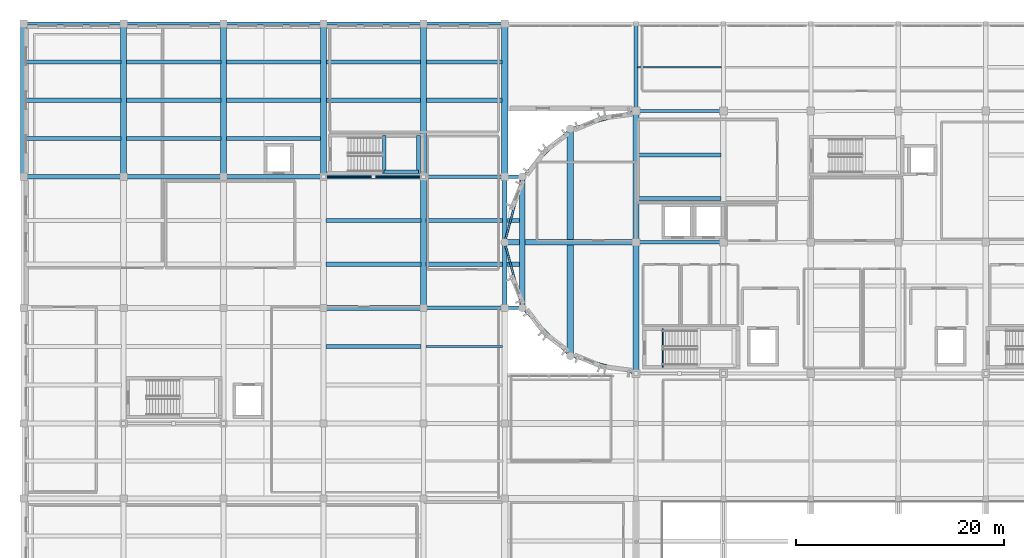
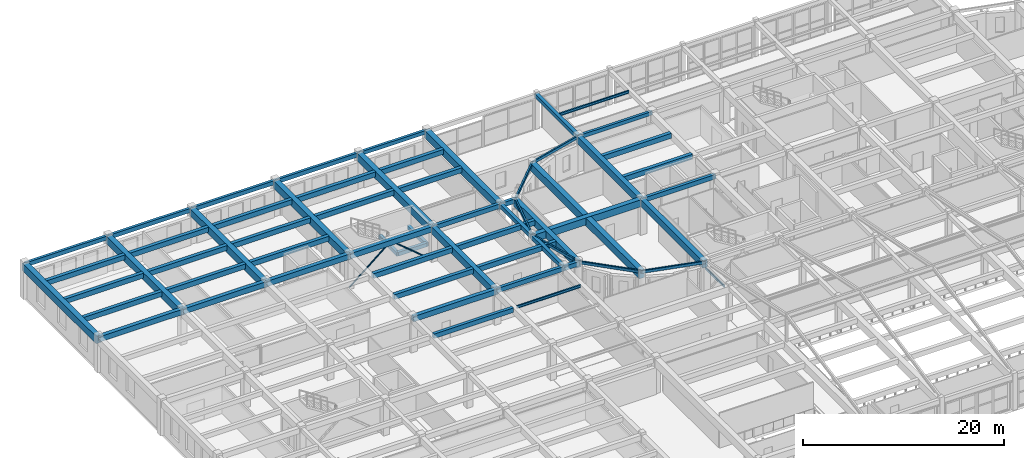
# One storey, part 39 of 91: 62 beams, 3 members.
"""IFC4 building model written with IfcOpenShell, lengths in metres."""

from ifc_helpers import new_model, si_unit, direction, frame, origin, origin_2d, place, context, subcontext, project, spatial, rectangle, hollow_rectangle, hollow_circle, i_section, extrude, material, material_profile, profile_set, type_object, element, save


model = new_model("IFC4")

# Units and contexts
model_context = context("Model", 3, precision=1e-05, world=origin(), true_north=direction((0.0, 1.0)))
body_context = subcontext(model_context, "Body", "Model", "MODEL_VIEW")
ifc_project = project(units=[si_unit("LENGTHUNIT", "METRE"), si_unit("AREAUNIT", "SQUARE_METRE"), si_unit("VOLUMEUNIT", "CUBIC_METRE"), si_unit("PLANEANGLEUNIT", "RADIAN"), si_unit("MASSUNIT", "GRAM", prefix="KILO")], contexts=[model_context])

# Site, building, storey
site_placement = place(None, origin())
site = spatial("IfcSite", under=ifc_project, at=site_placement, CompositionType="ELEMENT")
building_placement = place(site_placement, origin())
building = spatial("IfcBuilding", under=site, at=building_placement, Name="Tarnavel Promenade Courthouse", CompositionType="ELEMENT")
storey_placement = place(building_placement, frame((0.0, 0.0, 9.89990234375)))
storey = spatial("IfcBuildingStorey", under=building, at=storey_placement, Name="L03", CompositionType="ELEMENT", Elevation=9.89990234375)

# Beams
ifc_material_1 = material(Name="Concrete C40/50", Category="concrete")
ifc_material_profile_1 = material_profile(ifc_material_1, rectangle(XDim=0.35009765625, YDim=0.550048828125, at=origin_2d()), Name="PT 350x550")
ifc_profile_set_1 = profile_set([ifc_material_profile_1], Name="Concrete C40/50")
beam_type_1 = type_object("IfcBeamType", Name="Concrete C40/50 BM-PT-350x550 (PT 350x550)", PredefinedType="JOIST", material=ifc_profile_set_1)
beam_1_placement = place(storey_placement, frame((29.02001953125, 81.800048828125, 3.97021484375), z_axis=(1.0, 0.0, 0.0), x_axis=(0.0, 1.0, 0.0)))
element("IfcBeam", 1, at=beam_1_placement, inside=storey, type_object=beam_type_1, Name="L03 Secondary Floor Rib 1869", PredefinedType="JOIST", context=body_context, shape_type="SweptSolid", body=[
    extrude(rectangle(XDim=0.35009765625, YDim=0.550048828125, at=origin_2d()), origin(), (0.0, 0.0, 1.0), 9.159912109375),
])
ifc_material_profile_2 = material_profile(ifc_material_1, rectangle(XDim=0.39990234375, YDim=0.60009765625, at=origin_2d()), Name="PT 400x600")
ifc_profile_set_2 = profile_set([ifc_material_profile_2], Name="Concrete C40/50")
beam_type_2 = type_object("IfcBeamType", Name="Concrete C40/50 BM-PT-400x600 (PT 400x600)", PredefinedType="JOIST", material=ifc_profile_set_2)
for number, where, z_axis, x_axis, name in (
    (2, (29.044921875, 89.699951171875, 3.945068359375), (1.0, 0.0, 0.0), (0.0, 1.0, 0.0), "L03 Secondary Floor Rib 1885"),
    (3, (29.044921875, 93.89990234375, 3.945068359375), (1.0, 0.0, 0.0), (0.0, 1.0, 0.0), "L03 Secondary Floor Rib 1886"),
):
    element("IfcBeam", number, at=place(storey_placement, frame(where, z_axis=z_axis, x_axis=x_axis)), inside=storey, type_object=beam_type_2, Name=name, PredefinedType="JOIST", context=body_context, shape_type="SweptSolid", body=[
        extrude(rectangle(XDim=0.39990234375, YDim=0.60009765625, at=origin_2d()), origin(), (0.0, 0.0, 1.0), 9.110107421875),
    ])
for number, where, z_axis, x_axis, name in (
    (4, (38.64501953125, 89.699951171875, 3.945068359375), (1.0, 0.0, 0.0), (0.0, 1.0, 0.0), "L03 Secondary Floor Rib 1887"),
    (5, (38.64501953125, 93.89990234375, 3.945068359375), (1.0, 0.0, 0.0), (0.0, 1.0, 0.0), "L03 Secondary Floor Rib 1888"),
):
    element("IfcBeam", number, at=place(storey_placement, frame(where, z_axis=z_axis, x_axis=x_axis)), inside=storey, type_object=beam_type_2, Name=name, PredefinedType="JOIST", context=body_context, shape_type="SweptSolid", body=[
        extrude(rectangle(XDim=0.39990234375, YDim=0.60009765625, at=origin_2d()), origin(), (0.0, 0.0, 1.0), 8.998046875),
    ])
for number, where, z_axis, x_axis, name in (
    (6, (0.27001953125, 101.77490234375, 3.945068359375), (1.0, 0.0, 0.0), (0.0, 1.0, 0.0), "L03 Secondary Floor Rib 1899"),
    (7, (0.27001953125, 105.449951171875, 3.945068359375), (1.0, 0.0, 0.0), (0.0, 1.0, 0.0), "L03 Secondary Floor Rib 1900"),
    (8, (0.27001953125, 109.125, 3.945068359375), (1.0, 0.0, 0.0), (0.0, 1.0, 0.0), "L03 Secondary Floor Rib 1901"),
):
    element("IfcBeam", number, at=place(storey_placement, frame(where, z_axis=z_axis, x_axis=x_axis)), inside=storey, type_object=beam_type_2, Name=name, PredefinedType="JOIST", context=body_context, shape_type="SweptSolid", body=[
        extrude(rectangle(XDim=0.39990234375, YDim=0.60009765625, at=origin_2d()), origin(), (0.0, 0.0, 1.0), 9.06005859375),
    ])
for number, where, z_axis, x_axis, name in (
    (9, (9.8701171875, 101.77490234375, 3.945068359375), (1.0, 0.0, 0.0), (0.0, 1.0, 0.0), "L03 Secondary Floor Rib 1902"),
    (10, (9.8701171875, 105.449951171875, 3.945068359375), (1.0, 0.0, 0.0), (0.0, 1.0, 0.0), "L03 Secondary Floor Rib 1903"),
    (11, (9.8701171875, 109.125, 3.945068359375), (1.0, 0.0, 0.0), (0.0, 1.0, 0.0), "L03 Secondary Floor Rib 1904"),
):
    element("IfcBeam", number, at=place(storey_placement, frame(where, z_axis=z_axis, x_axis=x_axis)), inside=storey, type_object=beam_type_2, Name=name, PredefinedType="JOIST", context=body_context, shape_type="SweptSolid", body=[
        extrude(rectangle(XDim=0.39990234375, YDim=0.60009765625, at=origin_2d()), origin(), (0.0, 0.0, 1.0), 9.059814453125),
    ])
for number, where, z_axis, x_axis, name in (
    (12, (19.469970703125, 101.77490234375, 3.945068359375), (1.0, 0.0, 0.0), (0.0, 1.0, 0.0), "L03 Secondary Floor Rib 1905"),
    (13, (19.469970703125, 105.449951171875, 3.945068359375), (1.0, 0.0, 0.0), (0.0, 1.0, 0.0), "L03 Secondary Floor Rib 1906"),
    (14, (19.469970703125, 109.125, 3.945068359375), (1.0, 0.0, 0.0), (0.0, 1.0, 0.0), "L03 Secondary Floor Rib 1907"),
):
    element("IfcBeam", number, at=place(storey_placement, frame(where, z_axis=z_axis, x_axis=x_axis)), inside=storey, type_object=beam_type_2, Name=name, PredefinedType="JOIST", context=body_context, shape_type="SweptSolid", body=[
        extrude(rectangle(XDim=0.39990234375, YDim=0.60009765625, at=origin_2d()), origin(), (0.0, 0.0, 1.0), 9.06005859375),
    ])
for number, where, z_axis, x_axis, name in (
    (15, (29.070068359375, 105.449951171875, 3.945068359375), (1.0, 0.0, 0.0), (0.0, 1.0, 0.0), "L03 Secondary Floor Rib 1908"),
    (16, (29.070068359375, 109.125, 3.945068359375), (1.0, 0.0, 0.0), (0.0, 1.0, 0.0), "L03 Secondary Floor Rib 1909"),
):
    element("IfcBeam", number, at=place(storey_placement, frame(where, z_axis=z_axis, x_axis=x_axis)), inside=storey, type_object=beam_type_2, Name=name, PredefinedType="JOIST", context=body_context, shape_type="SweptSolid", body=[
        extrude(rectangle(XDim=0.39990234375, YDim=0.60009765625, at=origin_2d()), origin(), (0.0, 0.0, 1.0), 9.059814453125),
    ])
for number, where, z_axis, x_axis, name in (
    (17, (38.669921875, 105.449951171875, 3.945068359375), (1.0, 0.0, 0.0), (0.0, 1.0, 0.0), "L03 Secondary Floor Rib 1910"),
    (18, (38.669921875, 109.125, 3.945068359375), (1.0, 0.0, 0.0), (0.0, 1.0, 0.0), "L03 Secondary Floor Rib 1911"),
):
    element("IfcBeam", number, at=place(storey_placement, frame(where, z_axis=z_axis, x_axis=x_axis)), inside=storey, type_object=beam_type_2, Name=name, PredefinedType="JOIST", context=body_context, shape_type="SweptSolid", body=[
        extrude(rectangle(XDim=0.39990234375, YDim=0.60009765625, at=origin_2d()), origin(), (0.0, 0.0, 1.0), 7.260009765625),
    ])
for number, where, z_axis, x_axis, name in (
    (19, (59.044921875, 96.0, 3.945068359375), (1.0, 0.0, 0.0), (0.0, 1.0, 0.0), "L03 Secondary Floor Rib 1942"),
    (20, (59.044921875, 100.199951171875, 3.945068359375), (1.0, 0.0, 0.0), (0.0, 1.0, 0.0), "L03 Secondary Floor Rib 1943"),
):
    element("IfcBeam", number, at=place(storey_placement, frame(where, z_axis=z_axis, x_axis=x_axis)), inside=storey, type_object=beam_type_2, Name=name, PredefinedType="JOIST", context=body_context, shape_type="SweptSolid", body=[
        extrude(rectangle(XDim=0.39990234375, YDim=0.60009765625, at=origin_2d()), origin(), (0.0, 0.0, 1.0), 7.91015625),
    ])
ifc_material_profile_3 = material_profile(ifc_material_1, rectangle(XDim=0.550048828125, YDim=0.85009765625, at=origin_2d()), Name="PT 550x850")
ifc_profile_set_3 = profile_set([ifc_material_profile_3], Name="Concrete C40/50")
beam_type_3 = type_object("IfcBeamType", Name="Concrete C40/50 BM-PT-550x850 (PT 550x850)", PredefinedType="T_BEAM", material=ifc_profile_set_3)
for number, where, z_axis, x_axis, name in (
    (21, (46.199951171875, 91.800048828125, 3.820068359375), (1.0, 0.0, 0.0), (0.0, 1.0, 0.0), "L03 Primary Longitudinal Beam 1644"),
    (22, (38.39990234375, 85.5, 3.820068359375), (0.0, 1.0, 0.0), (-1.0, 0.0, 0.0), "L03 Transverse Girder 1728"),
    (23, (47.88818359375, 85.5, 3.820068359375), (0.0, 1.0, 0.0), (-1.0, 0.0, 0.0), "L03 Transverse Girder 1736"),
    (24, (58.800048828125, 79.199951171875, 3.820068359375), (0.0, 1.0, 0.0), (-1.0, 0.0, 0.0), "L03 Transverse Girder 1741"),
):
    element("IfcBeam", number, at=place(storey_placement, frame(where, z_axis=z_axis, x_axis=x_axis)), inside=storey, type_object=beam_type_3, Name=name, PredefinedType="T_BEAM", context=body_context, shape_type="SweptSolid", body=[
        extrude(rectangle(XDim=0.550048828125, YDim=0.85009765625, at=origin_2d()), origin(), (0.0, 0.0, 1.0), 12.60009765625),
    ])
beam_2_placement = place(storey_placement, frame((58.800048828125, 91.800048828125, 3.820068359375), z_axis=(0.0, 1.0, 0.0), x_axis=(-1.0, 0.0, 0.0)))
element("IfcBeam", 25, at=beam_2_placement, inside=storey, type_object=beam_type_3, Name="L03 Transverse Girder 1742", PredefinedType="T_BEAM", context=body_context, shape_type="SweptSolid", body=[
    extrude(rectangle(XDim=0.550048828125, YDim=0.85009765625, at=origin_2d()), origin(), (0.0, 0.0, 1.0), 12.599853515625),
])
ifc_material_profile_4 = material_profile(ifc_material_1, rectangle(XDim=0.60009765625, YDim=0.89990234375, at=origin_2d()), Name="PT 600x900")
ifc_profile_set_4 = profile_set([ifc_material_profile_4], Name="Concrete C40/50")
beam_type_4 = type_object("IfcBeamType", Name="Concrete C40/50 BM-PT-600x900 (PT 600x900)", PredefinedType="T_BEAM", material=ifc_profile_set_4)
for number, where, z_axis, x_axis, name in (
    (26, (0.0, 98.10009765625, 3.795166015625), (0.0, 1.0, 0.0), (-1.0, 0.0, 0.0), "L03 Transverse Girder 1696"),
    (27, (9.60009765625, 98.10009765625, 3.795166015625), (0.0, 1.0, 0.0), (-1.0, 0.0, 0.0), "L03 Transverse Girder 1708"),
    (28, (19.199951171875, 98.10009765625, 3.795166015625), (0.0, 1.0, 0.0), (-1.0, 0.0, 0.0), "L03 Transverse Girder 1715"),
    (29, (28.800048828125, 98.10009765625, 3.795166015625), (0.0, 1.0, 0.0), (-1.0, 0.0, 0.0), "L03 Transverse Girder 1722"),
    (30, (38.39990234375, 98.10009765625, 3.795166015625), (0.0, 1.0, 0.0), (-1.0, 0.0, 0.0), "L03 Transverse Girder 1729"),
    (31, (46.199951171875, 98.10009765625, 3.795166015625), (0.0, 1.0, 0.0), (-1.0, 0.0, 0.0), "L03 Transverse Girder 1735"),
):
    element("IfcBeam", number, at=place(storey_placement, frame(where, z_axis=z_axis, x_axis=x_axis)), inside=storey, type_object=beam_type_4, Name=name, PredefinedType="T_BEAM", context=body_context, shape_type="SweptSolid", body=[
        extrude(rectangle(XDim=0.60009765625, YDim=0.89990234375, at=origin_2d()), origin(), (0.0, 0.0, 1.0), 14.699951171875),
    ])
ifc_material_profile_5 = material_profile(ifc_material_1, rectangle(XDim=0.60009765625, YDim=0.949951171875, at=origin_2d()), Name="PT 600x950")
ifc_profile_set_5 = profile_set([ifc_material_profile_5], Name="Concrete C40/50")
beam_type_5 = type_object("IfcBeamType", Name="Concrete C40/50 BM-PT-600x950 (PT 600x950)", PredefinedType="T_BEAM", material=ifc_profile_set_5)
beam_3_placement = place(storey_placement, frame((52.5, 80.88818359375, 3.77001953125), z_axis=(0.0, 1.0, 0.0), x_axis=(-1.0, 0.0, 0.0)))
element("IfcBeam", 32, at=beam_3_placement, inside=storey, type_object=beam_type_5, Name="L03 Transverse Girder 1737", PredefinedType="T_BEAM", context=body_context, shape_type="SweptSolid", body=[
    extrude(rectangle(XDim=0.60009765625, YDim=0.949951171875, at=origin_2d()), origin(), (0.0, 0.0, 1.0), 21.82373046875),
])
ifc_material_profile_6 = material_profile(ifc_material_1, rectangle(XDim=0.35009765625, YDim=0.449951171875, at=origin_2d()), Name="RC 350x450")
ifc_profile_set_6 = profile_set([ifc_material_profile_6], Name="Concrete C40/50")
beam_type_6 = type_object("IfcBeamType", Name="Concrete C40/50 BM-RC-350x450 (RC 350x450)", PredefinedType="BEAM", material=ifc_profile_set_6)
for number, where, z_axis, x_axis, name in (
    (33, (34.6201171875, 98.419921875, 1.820068359375), (0.0, 1.0, 0.0), (-1.0, 0.0, 0.0), "L03 ST-07 Mid-Landing Support Beam Near"),
    (34, (37.919921875, 98.419921875, 1.820068359375), (0.0, 1.0, 0.0), (-1.0, 0.0, 0.0), "L03 ST-07 Mid-Landing Support Beam Far"),
):
    element("IfcBeam", number, at=place(storey_placement, frame(where, z_axis=z_axis, x_axis=x_axis)), inside=storey, type_object=beam_type_6, Name=name, PredefinedType="BEAM", context=body_context, shape_type="SweptSolid", body=[
        extrude(rectangle(XDim=0.35009765625, YDim=0.449951171875, at=origin_2d()), origin(), (0.0, 0.0, 1.0), 3.64013671875),
    ])
beam_4_placement = place(storey_placement, frame((34.6201171875, 98.570068359375, 1.820068359375), z_axis=(1.0, 0.0, 0.0), x_axis=(0.0, 1.0, 0.0)))
element("IfcBeam", 35, at=beam_4_placement, inside=storey, type_object=beam_type_6, Name="L03 ST-07 Mid-Landing Edge Trimmer", PredefinedType="BEAM", context=body_context, shape_type="SweptSolid", body=[
    extrude(rectangle(XDim=0.35009765625, YDim=0.449951171875, at=origin_2d()), origin(), (0.0, 0.0, 1.0), 3.2998046875),
])
ifc_material_profile_7 = material_profile(ifc_material_1, rectangle(XDim=0.35009765625, YDim=0.550048828125, at=origin_2d()), Name="RC 350x550")
ifc_profile_set_7 = profile_set([ifc_material_profile_7], Name="Concrete C40/50")
beam_type_7 = type_object("IfcBeamType", Name="Concrete C40/50 BM-RC-350x550 (RC 350x550)", PredefinedType="BEAM", material=ifc_profile_set_7)
beam_5_placement = place(storey_placement, frame((38.39990234375, 85.5, 3.97021484375), z_axis=(1.0, 0.0, 0.0), x_axis=(0.0, 1.0, 0.0)))
element("IfcBeam", 36, at=beam_5_placement, inside=storey, type_object=beam_type_7, Name="L03 Primary Longitudinal Beam 1637", PredefinedType="BEAM", context=body_context, shape_type="SweptSolid", body=[
    extrude(rectangle(XDim=0.35009765625, YDim=0.550048828125, at=origin_2d()), origin(), (0.0, 0.0, 1.0), 7.800048828125),
])
beam_6_placement = place(storey_placement, frame((46.199951171875, 85.5, 3.97021484375), z_axis=(1.0, 0.0, 0.0), x_axis=(0.0, 1.0, 0.0)))
element("IfcBeam", 37, at=beam_6_placement, inside=storey, type_object=beam_type_7, Name="L03 Primary Longitudinal Beam 1638", PredefinedType="BEAM", context=body_context, shape_type="SweptSolid", body=[
    extrude(rectangle(XDim=0.35009765625, YDim=0.550048828125, at=origin_2d()), origin(), (0.0, 0.0, 1.0), 1.688232421875),
])
beam_7_placement = place(storey_placement, frame((58.800048828125, 91.800048828125, 3.97021484375), z_axis=(1.0, 0.0, 0.0), x_axis=(0.0, 1.0, 0.0)))
element("IfcBeam", 38, at=beam_7_placement, inside=storey, type_object=beam_type_7, Name="L03 Primary Longitudinal Beam 1645", PredefinedType="BEAM", context=body_context, shape_type="SweptSolid", body=[
    extrude(rectangle(XDim=0.35009765625, YDim=0.550048828125, at=origin_2d()), origin(), (0.0, 0.0, 1.0), 8.39990234375),
])
beam_8_placement = place(storey_placement, frame((38.39990234375, 98.10009765625, 3.97021484375), z_axis=(1.0, 0.0, 0.0), x_axis=(0.0, 1.0, 0.0)))
element("IfcBeam", 39, at=beam_8_placement, inside=storey, type_object=beam_type_7, Name="L03 Primary Longitudinal Beam 1655", PredefinedType="BEAM", context=body_context, shape_type="SweptSolid", body=[
    extrude(rectangle(XDim=0.35009765625, YDim=0.550048828125, at=origin_2d()), origin(), (0.0, 0.0, 1.0), 7.800048828125),
])
beam_9_placement = place(storey_placement, frame((46.199951171875, 98.10009765625, 3.97021484375), z_axis=(1.0, 0.0, 0.0), x_axis=(0.0, 1.0, 0.0)))
element("IfcBeam", 40, at=beam_9_placement, inside=storey, type_object=beam_type_7, Name="L03 Primary Longitudinal Beam 1656", PredefinedType="BEAM", context=body_context, shape_type="SweptSolid", body=[
    extrude(rectangle(XDim=0.35009765625, YDim=0.550048828125, at=origin_2d()), origin(), (0.0, 0.0, 1.0), 1.688232421875),
])
ifc_material_profile_8 = material_profile(ifc_material_1, rectangle(XDim=0.39990234375, YDim=0.5, at=origin_2d()), Name="RC 400x500")
ifc_profile_set_8 = profile_set([ifc_material_profile_8], Name="Concrete C40/50")
beam_type_8 = type_object("IfcBeamType", Name="Concrete C40/50 BM-RC-400x500 (RC 400x500)", PredefinedType="BEAM", material=ifc_profile_set_8)
for number, where, z_axis, x_axis, name in (
    (41, (46.199951171875, 85.5, 3.9951171875), (0.0, 1.0, 0.0), (-1.0, 0.0, 0.0), "L03 Transverse Girder 1733"),
    (42, (46.199951171875, 91.800048828125, 3.9951171875), (0.0, 1.0, 0.0), (-1.0, 0.0, 0.0), "L03 Transverse Girder 1734"),
):
    element("IfcBeam", number, at=place(storey_placement, frame(where, z_axis=z_axis, x_axis=x_axis)), inside=storey, type_object=beam_type_8, Name=name, PredefinedType="BEAM", context=body_context, shape_type="SweptSolid", body=[
        extrude(rectangle(XDim=0.39990234375, YDim=0.5, at=origin_2d()), origin(), (0.0, 0.0, 1.0), 6.300048828125),
    ])
beam_10_placement = place(storey_placement, frame((58.800048828125, 104.39990234375, 3.9951171875), z_axis=(0.0, 1.0, 0.0), x_axis=(-1.0, 0.0, 0.0)))
element("IfcBeam", 43, at=beam_10_placement, inside=storey, type_object=beam_type_8, Name="L03 Transverse Girder 1743", PredefinedType="BEAM", context=body_context, shape_type="SweptSolid", body=[
    extrude(rectangle(XDim=0.39990234375, YDim=0.5, at=origin_2d()), origin(), (0.0, 0.0, 1.0), 8.400146484375),
])
ifc_material_profile_9 = material_profile(ifc_material_1, rectangle(XDim=0.449951171875, YDim=0.64990234375, at=origin_2d()), Name="RC 450x650")
ifc_profile_set_9 = profile_set([ifc_material_profile_9], Name="Concrete C40/50")
beam_type_9 = type_object("IfcBeamType", Name="Concrete C40/50 BM-RC-450x650 (RC 450x650)", PredefinedType="T_BEAM", material=ifc_profile_set_9)
beam_11_placement = place(storey_placement, frame((28.800048828125, 85.5, 3.920166015625), z_axis=(1.0, 0.0, 0.0), x_axis=(0.0, 1.0, 0.0)))
element("IfcBeam", 44, at=beam_11_placement, inside=storey, type_object=beam_type_9, Name="L03 Primary Longitudinal Beam 1636", PredefinedType="T_BEAM", context=body_context, shape_type="SweptSolid", body=[
    extrude(rectangle(XDim=0.449951171875, YDim=0.64990234375, at=origin_2d()), origin(), (0.0, 0.0, 1.0), 9.599853515625),
])
beam_12_placement = place(storey_placement, frame((0.0, 98.10009765625, 3.920166015625), z_axis=(1.0, 0.0, 0.0), x_axis=(0.0, 1.0, 0.0)))
element("IfcBeam", 45, at=beam_12_placement, inside=storey, type_object=beam_type_9, Name="L03 Primary Longitudinal Beam 1651", PredefinedType="T_BEAM", context=body_context, shape_type="SweptSolid", body=[
    extrude(rectangle(XDim=0.449951171875, YDim=0.64990234375, at=origin_2d()), origin(), (0.0, 0.0, 1.0), 9.60009765625),
])
beam_13_placement = place(storey_placement, frame((9.60009765625, 98.10009765625, 3.920166015625), z_axis=(1.0, 0.0, 0.0), x_axis=(0.0, 1.0, 0.0)))
element("IfcBeam", 46, at=beam_13_placement, inside=storey, type_object=beam_type_9, Name="L03 Primary Longitudinal Beam 1652", PredefinedType="T_BEAM", context=body_context, shape_type="SweptSolid", body=[
    extrude(rectangle(XDim=0.449951171875, YDim=0.64990234375, at=origin_2d()), origin(), (0.0, 0.0, 1.0), 9.599853515625),
])
beam_14_placement = place(storey_placement, frame((19.199951171875, 98.10009765625, 3.920166015625), z_axis=(1.0, 0.0, 0.0), x_axis=(0.0, 1.0, 0.0)))
element("IfcBeam", 47, at=beam_14_placement, inside=storey, type_object=beam_type_9, Name="L03 Primary Longitudinal Beam 1653", PredefinedType="T_BEAM", context=body_context, shape_type="SweptSolid", body=[
    extrude(rectangle(XDim=0.449951171875, YDim=0.64990234375, at=origin_2d()), origin(), (0.0, 0.0, 1.0), 9.60009765625),
])
beam_15_placement = place(storey_placement, frame((28.800048828125, 98.10009765625, 3.920166015625), z_axis=(1.0, 0.0, 0.0), x_axis=(0.0, 1.0, 0.0)))
element("IfcBeam", 48, at=beam_15_placement, inside=storey, type_object=beam_type_9, Name="L03 Primary Longitudinal Beam 1654", PredefinedType="T_BEAM", context=body_context, shape_type="SweptSolid", body=[
    extrude(rectangle(XDim=0.449951171875, YDim=0.64990234375, at=origin_2d()), origin(), (0.0, 0.0, 1.0), 9.599853515625),
])
ifc_material_profile_10 = material_profile(ifc_material_1, rectangle(XDim=0.300048828125, YDim=0.449951171875, at=origin_2d()), Name="RC 300x450")
ifc_profile_set_10 = profile_set([ifc_material_profile_10], Name="Concrete C40/50")
beam_type_10 = type_object("IfcBeamType", Name="Concrete C40/50 BM-SP-300x450 (RC 300x450)", PredefinedType="SPANDREL", material=ifc_profile_set_10)
beam_16_placement = place(storey_placement, frame((58.800048828125, 104.39990234375, 4.02001953125), z_axis=(1.0, 0.0, 0.0), x_axis=(0.0, 1.0, 0.0)))
element("IfcBeam", 49, at=beam_16_placement, inside=storey, type_object=beam_type_10, Name="L03 Primary Longitudinal Beam 1662", PredefinedType="SPANDREL", context=body_context, shape_type="SweptSolid", body=[
    extrude(rectangle(XDim=0.300048828125, YDim=0.449951171875, at=origin_2d()), origin(), (0.0, 0.0, 1.0), 8.39990234375),
])
beam_17_placement = place(storey_placement, frame((38.39990234375, 112.800048828125, 4.02001953125), z_axis=(1.0, 0.0, 0.0), x_axis=(0.0, 1.0, 0.0)))
element("IfcBeam", 50, at=beam_17_placement, inside=storey, type_object=beam_type_10, Name="L03 Primary Longitudinal Beam 1675", PredefinedType="SPANDREL", context=body_context, shape_type="SweptSolid", body=[
    extrude(rectangle(XDim=0.300048828125, YDim=0.449951171875, at=origin_2d()), origin(), (0.0, 0.0, 1.0), 7.800048828125),
])
ifc_material_profile_11 = material_profile(ifc_material_1, rectangle(XDim=0.300048828125, YDim=0.5, at=origin_2d()), Name="RC 300x500")
ifc_profile_set_11 = profile_set([ifc_material_profile_11], Name="Concrete C40/50")
beam_type_11 = type_object("IfcBeamType", Name="Concrete C40/50 BM-SP-300x500 (RC 300x500)", PredefinedType="SPANDREL", material=ifc_profile_set_11)
beam_18_placement = place(storey_placement, frame((0.0, 112.800048828125, 3.9951171875), z_axis=(1.0, 0.0, 0.0), x_axis=(0.0, 1.0, 0.0)))
element("IfcBeam", 51, at=beam_18_placement, inside=storey, type_object=beam_type_11, Name="L03 Primary Longitudinal Beam 1671", PredefinedType="SPANDREL", context=body_context, shape_type="SweptSolid", body=[
    extrude(rectangle(XDim=0.300048828125, YDim=0.5, at=origin_2d()), origin(), (0.0, 0.0, 1.0), 9.60009765625),
])
beam_19_placement = place(storey_placement, frame((9.60009765625, 112.800048828125, 3.9951171875), z_axis=(1.0, 0.0, 0.0), x_axis=(0.0, 1.0, 0.0)))
element("IfcBeam", 52, at=beam_19_placement, inside=storey, type_object=beam_type_11, Name="L03 Primary Longitudinal Beam 1672", PredefinedType="SPANDREL", context=body_context, shape_type="SweptSolid", body=[
    extrude(rectangle(XDim=0.300048828125, YDim=0.5, at=origin_2d()), origin(), (0.0, 0.0, 1.0), 9.599853515625),
])
beam_20_placement = place(storey_placement, frame((19.199951171875, 112.800048828125, 3.9951171875), z_axis=(1.0, 0.0, 0.0), x_axis=(0.0, 1.0, 0.0)))
element("IfcBeam", 53, at=beam_20_placement, inside=storey, type_object=beam_type_11, Name="L03 Primary Longitudinal Beam 1673", PredefinedType="SPANDREL", context=body_context, shape_type="SweptSolid", body=[
    extrude(rectangle(XDim=0.300048828125, YDim=0.5, at=origin_2d()), origin(), (0.0, 0.0, 1.0), 9.60009765625),
])
beam_21_placement = place(storey_placement, frame((28.800048828125, 112.800048828125, 3.9951171875), z_axis=(1.0, 0.0, 0.0), x_axis=(0.0, 1.0, 0.0)))
element("IfcBeam", 54, at=beam_21_placement, inside=storey, type_object=beam_type_11, Name="L03 Primary Longitudinal Beam 1674", PredefinedType="SPANDREL", context=body_context, shape_type="SweptSolid", body=[
    extrude(rectangle(XDim=0.300048828125, YDim=0.5, at=origin_2d()), origin(), (0.0, 0.0, 1.0), 9.599853515625),
])
ifc_material_2 = material(Name="Steel S355J2", Category="steel")
ifc_material_profile_12 = material_profile(ifc_material_2, i_section(OverallWidth=0.159912109375, OverallDepth=0.330078125, WebThickness=0.007568359375, FlangeThickness=0.011474609375, FilletRadius=0.01806640625, at=origin_2d()), Name="IPE 330")
ifc_profile_set_12 = profile_set([ifc_material_profile_12], Name="Steel S355J2")
beam_type_12 = type_object("IfcBeamType", Name="Steel S355J2 BM-ST-IPE330 (IPE 330)", PredefinedType="JOIST", material=ifc_profile_set_12)
beam_22_placement = place(storey_placement, frame((38.6201171875, 81.800048828125, 4.080078125), z_axis=(1.0, 0.0, 0.0), x_axis=(0.0, 1.0, 0.0)))
element("IfcBeam", 55, at=beam_22_placement, inside=storey, type_object=beam_type_12, Name="L03 Secondary Floor Rib 1871", PredefinedType="JOIST", context=body_context, shape_type="SweptSolid", body=[
    extrude(i_section(OverallWidth=0.159912109375, OverallDepth=0.330078125, WebThickness=0.007568359375, FlangeThickness=0.011474609375, FilletRadius=0.01806640625, at=origin_2d()), origin(), (0.0, 0.0, 1.0), 7.35986328125),
])
beam_23_placement = place(storey_placement, frame((58.969970703125, 108.60009765625, 4.080078125), z_axis=(1.0, 0.0, 0.0), x_axis=(0.0, 1.0, 0.0)))
element("IfcBeam", 56, at=beam_23_placement, inside=storey, type_object=beam_type_12, Name="L03 Secondary Floor Rib 1947", PredefinedType="JOIST", context=body_context, shape_type="SweptSolid", body=[
    extrude(i_section(OverallWidth=0.159912109375, OverallDepth=0.330078125, WebThickness=0.007568359375, FlangeThickness=0.011474609375, FilletRadius=0.01806640625, at=origin_2d()), origin(), (0.0, 0.0, 1.0), 8.06005859375),
])
ifc_material_profile_13 = material_profile(ifc_material_2, hollow_rectangle(XDim=0.199951171875, YDim=0.35009765625, WallThickness=0.012451171875, InnerFilletRadius=0.012451171875, OuterFilletRadius=0.02490234375, at=origin_2d()), Name="RHS 350x200x12.5")
ifc_profile_set_13 = profile_set([ifc_material_profile_13], Name="Steel S355J2")
beam_type_13 = type_object("IfcBeamType", Name="Steel S355J2 BM-ST-RHS350 (RHS 350x200x12.5)", PredefinedType="SPANDREL", material=ifc_profile_set_13)
beam_24_placement = place(storey_placement, frame((58.800048828125, 104.39990234375, 4.070068359375), z_axis=(-0.965929839907, -0.258804065612, 0.0), x_axis=(0.258804065612, -0.965929839907, 0.0)))
element("IfcBeam", 57, at=beam_24_placement, inside=storey, type_object=beam_type_13, Name="L03 Drum Ring Spandrel 1964", PredefinedType="SPANDREL", context=body_context, shape_type="SweptSolid", body=[
    extrude(hollow_rectangle(XDim=0.199951171875, YDim=0.35009765625, WallThickness=0.012451171875, InnerFilletRadius=0.012451171875, OuterFilletRadius=0.02490234375, at=origin_2d()), origin(), (0.0, 0.0, 1.0), 6.522216796875),
])
beam_25_placement = place(storey_placement, frame((52.5, 102.7119140625, 4.070068359375), z_axis=(-0.707106781187, -0.707106781187, 0.0), x_axis=(0.707106781187, -0.707106781187, 0.0)))
element("IfcBeam", 58, at=beam_25_placement, inside=storey, type_object=beam_type_13, Name="L03 Drum Ring Spandrel 1965", PredefinedType="SPANDREL", context=body_context, shape_type="SweptSolid", body=[
    extrude(hollow_rectangle(XDim=0.199951171875, YDim=0.35009765625, WallThickness=0.012451171875, InnerFilletRadius=0.012451171875, OuterFilletRadius=0.02490234375, at=origin_2d()), origin(), (0.0, 0.0, 1.0), 6.52197265625),
])
for number, where, z_axis, x_axis, name in (
    (59, (47.88818359375, 98.10009765625, 4.070068359375), (-0.258838989821, -0.965920481897, 0.0), (0.965920481897, -0.258838989821, 0.0), "L03 Drum Ring Spandrel 1966"),
    (60, (46.199951171875, 91.800048828125, 4.070068359375), (0.258838989821, -0.965920481897, 0.0), (0.965920481897, 0.258838989821, 0.0), "L03 Drum Ring Spandrel 1967"),
):
    element("IfcBeam", number, at=place(storey_placement, frame(where, z_axis=z_axis, x_axis=x_axis)), inside=storey, type_object=beam_type_13, Name=name, PredefinedType="SPANDREL", context=body_context, shape_type="SweptSolid", body=[
        extrude(hollow_rectangle(XDim=0.199951171875, YDim=0.35009765625, WallThickness=0.012451171875, InnerFilletRadius=0.012451171875, OuterFilletRadius=0.02490234375, at=origin_2d()), origin(), (0.0, 0.0, 1.0), 6.522216796875),
    ])
beam_26_placement = place(storey_placement, frame((47.88818359375, 85.5, 4.070068359375), z_axis=(0.707106781187, -0.707106781187, 0.0), x_axis=(0.707106781187, 0.707106781187, 0.0)))
element("IfcBeam", 61, at=beam_26_placement, inside=storey, type_object=beam_type_13, Name="L03 Drum Ring Spandrel 1968", PredefinedType="SPANDREL", context=body_context, shape_type="SweptSolid", body=[
    extrude(hollow_rectangle(XDim=0.199951171875, YDim=0.35009765625, WallThickness=0.012451171875, InnerFilletRadius=0.012451171875, OuterFilletRadius=0.02490234375, at=origin_2d()), origin(), (0.0, 0.0, 1.0), 6.52197265625),
])
beam_27_placement = place(storey_placement, frame((52.5, 80.88818359375, 4.070068359375), z_axis=(0.965920481897, -0.258838989821, 0.0), x_axis=(0.258838989821, 0.965920481897, 0.0)))
element("IfcBeam", 62, at=beam_27_placement, inside=storey, type_object=beam_type_13, Name="L03 Drum Ring Spandrel 1969", PredefinedType="SPANDREL", context=body_context, shape_type="SweptSolid", body=[
    extrude(hollow_rectangle(XDim=0.199951171875, YDim=0.35009765625, WallThickness=0.012451171875, InnerFilletRadius=0.012451171875, OuterFilletRadius=0.02490234375, at=origin_2d()), origin(), (0.0, 0.0, 1.0), 6.522216796875),
])

# Members
ifc_material_profile_14 = material_profile(ifc_material_2, hollow_circle(Radius=0.084228515625, WallThickness=0.008056640625, at=origin_2d()), Name="CHS 168.3x8")
ifc_profile_set_14 = profile_set([ifc_material_profile_14], Name="Steel S355J2")
member_type_1 = type_object("IfcMemberType", Name="Steel S355J2 MEM-BR-CHS168 (CHS 168.3x8)", PredefinedType="BRACE", material=ifc_profile_set_14)
member_1_placement = place(storey_placement, frame((28.800048828125, 98.10009765625, 0.0), z_axis=(0.76860886506, 0.0, 0.639719010622), x_axis=(0.0, 1.0, 0.0)))
element("IfcMember", 63, at=member_1_placement, inside=storey, type_object=member_type_1, Name="L03 V2 Chevron Brace A 038", PredefinedType="BRACE", context=body_context, shape_type="SweptSolid", body=[
    extrude(hollow_circle(Radius=0.084228515625, WallThickness=0.008056640625, at=origin_2d()), origin(), (0.0, 0.0, 1.0), 6.2451171875),
])
member_2_placement = place(storey_placement, frame((38.39990234375, 98.10009765625, 0.0), z_axis=(-0.768592865874, 0.0, 0.639738232816), x_axis=(0.0, -1.0, 0.0)))
element("IfcMember", 64, at=member_2_placement, inside=storey, type_object=member_type_1, Name="L03 V2 Chevron Brace B 038", PredefinedType="BRACE", context=body_context, shape_type="SweptSolid", body=[
    extrude(hollow_circle(Radius=0.084228515625, WallThickness=0.008056640625, at=origin_2d()), origin(), (0.0, 0.0, 1.0), 6.244873046875),
])
ifc_material_profile_15 = material_profile(ifc_material_2, hollow_rectangle(XDim=0.14990234375, YDim=0.25, WallThickness=0.010009765625, InnerFilletRadius=0.010009765625, OuterFilletRadius=0.02001953125, at=origin_2d()), Name="RHS 250x150x10")
ifc_profile_set_15 = profile_set([ifc_material_profile_15], Name="Steel S355J2")
member_type_2 = type_object("IfcMemberType", Name="Steel S355J2 Stair Stringer MEM-STR-250 (RHS 250x150x10)", PredefinedType="STRINGER", material=ifc_profile_set_15)
member_3_placement = place(storey_placement, frame((61.360107421875, 79.800048828125, -0.179931640625), z_axis=(0.0, 1.0, 0.0), x_axis=(-1.0, 0.0, 0.0)))
element("IfcMember", 65, at=member_3_placement, inside=storey, type_object=member_type_2, Name="L03 ST-01 Stair Header Stringer", PredefinedType="STRINGER", context=body_context, shape_type="SweptSolid", body=[
    extrude(hollow_rectangle(XDim=0.14990234375, YDim=0.25, WallThickness=0.010009765625, InnerFilletRadius=0.010009765625, OuterFilletRadius=0.02001953125, at=origin_2d()), origin(), (0.0, 0.0, 1.0), 3.719970703125),
])

save(model, "model.ifc")
